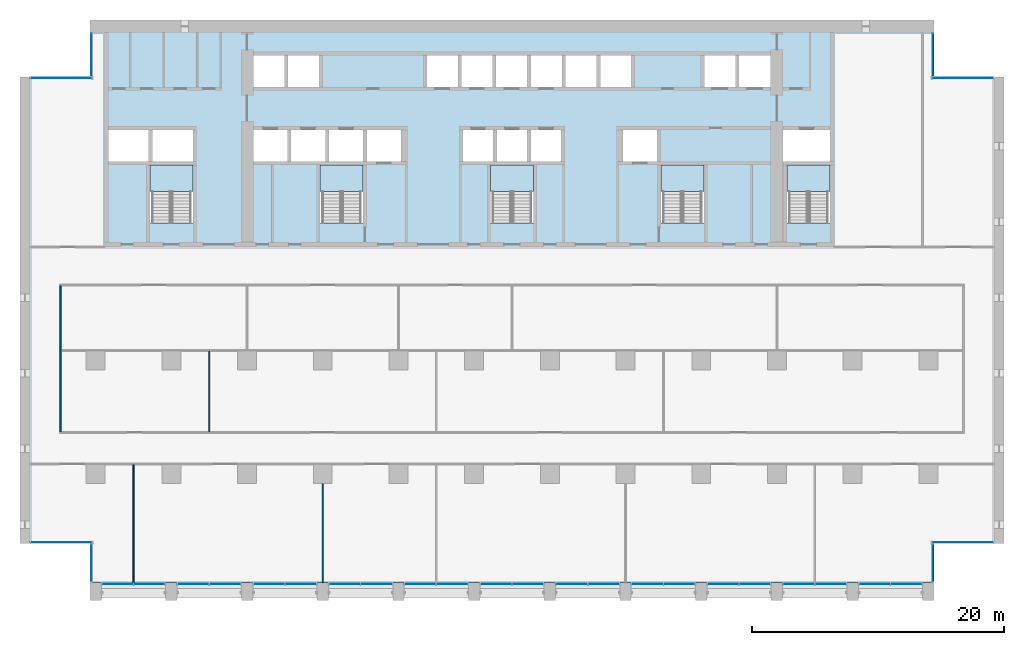
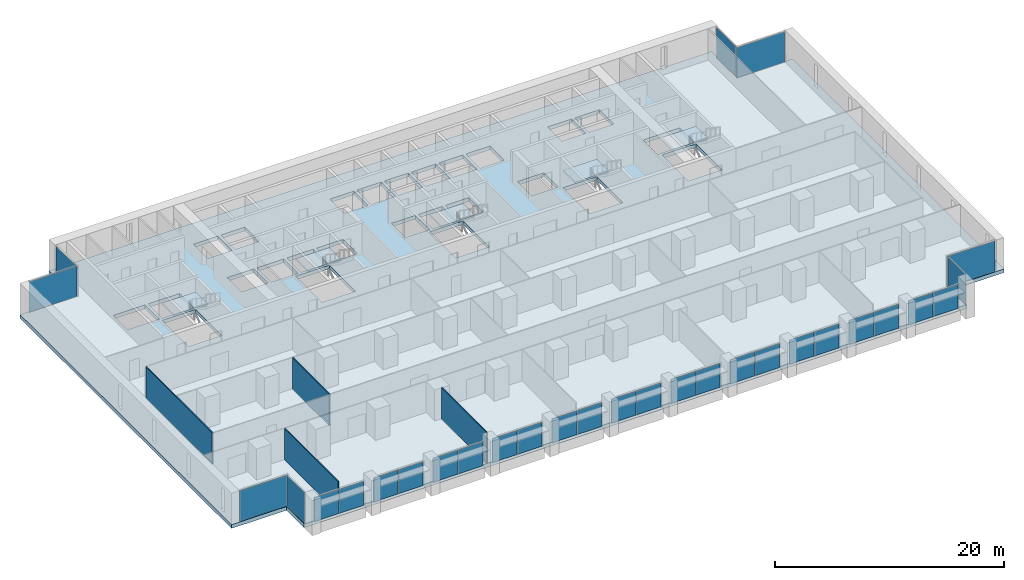
# One storey, part 7 of 18: 30 plates, 6 slabs, 4 walls, 24 elements without a shape of their own.
"""IFC4 building model written with IfcOpenShell, lengths in metres."""

from ifc_helpers import new_model, si_unit, direction, frame, frame_2d, origin, origin_2d, place, context, subcontext, project, spatial, polyline, rectangle, outline, extrude, material, layer, layer_set, type_object, element, aggregate, save


model = new_model("IFC4")

# Units and contexts
model_context = context("Model", 3, precision=1e-05, world=origin(), true_north=direction((0.0, 1.0)))
body_context = subcontext(model_context, "Body", "Model", "MODEL_VIEW")
ifc_project = project(units=[si_unit("LENGTHUNIT", "METRE"), si_unit("AREAUNIT", "SQUARE_METRE"), si_unit("VOLUMEUNIT", "CUBIC_METRE"), si_unit("PLANEANGLEUNIT", "RADIAN"), si_unit("MASSUNIT", "GRAM", prefix="KILO")], contexts=[model_context])

# Site, building, storey
site_placement = place(None, origin())
site = spatial("IfcSite", under=ifc_project, at=site_placement, CompositionType="ELEMENT")
building_placement = place(site_placement, origin())
building = spatial("IfcBuilding", under=site, at=building_placement, Name="Calvaro Tower", CompositionType="ELEMENT")
storey_placement = place(building_placement, frame((0.0, 0.0, 82.5)))
storey = spatial("IfcBuildingStorey", under=building, at=storey_placement, Name="L20", CompositionType="ELEMENT", Elevation=82.5)

# Slab
ifc_material_1 = material(Name="Concrete C40/50", Category="concrete")
ifc_layer_1 = layer(ifc_material_1, 0.39990234375)
ifc_layer_set_1 = layer_set([ifc_layer_1], Name="Concrete C40/50")
slab_type_1 = type_object("IfcSlabType", Name="Floor slab 400 C40/50", PredefinedType="FLOOR", material=ifc_layer_set_1)
slab_1_placement = place(storey_placement, frame((0.0, 0.0, -0.39990234375)))
element("IfcSlab", 1, at=slab_1_placement, inside=storey, type_object=slab_type_1, Name="Floor slab", PredefinedType="FLOOR", context=body_context, shape_type="SweptSolid", body=[
    extrude(outline(polyline([(72.449951171875, 4.5), (72.449951171875, 1.39990234375), (5.550048828125, 1.39990234375), (5.550048828125, 4.5), (0.0, 4.5), (0.0, 41.5), (5.550048828125, 41.5), (5.550048828125, 46.0), (72.449951171875, 46.0), (72.449951171875, 41.5), (78.0, 41.5), (78.0, 4.5), (72.449951171875, 4.5)]), holes=[polyline([(10.300048828125, 29.909912109375), (10.300048828125, 34.5), (12.0, 34.5), (13.699951171875, 34.5), (13.699951171875, 29.909912109375), (12.0, 29.909912109375), (10.300048828125, 29.909912109375)]), polyline([(23.800048828125, 29.909912109375), (23.800048828125, 34.5), (25.5, 34.5), (27.199951171875, 34.5), (27.199951171875, 29.909912109375), (25.5, 29.909912109375), (23.800048828125, 29.909912109375)]), polyline([(37.300048828125, 29.909912109375), (37.300048828125, 34.5), (39.0, 34.5), (40.699951171875, 34.5), (40.699951171875, 29.909912109375), (39.0, 29.909912109375), (37.300048828125, 29.909912109375)]), polyline([(50.800048828125, 29.909912109375), (50.800048828125, 34.5), (52.5, 34.5), (54.199951171875, 34.5), (54.199951171875, 29.909912109375), (52.5, 29.909912109375), (50.800048828125, 29.909912109375)]), polyline([(60.800048828125, 29.909912109375), (60.800048828125, 34.5), (62.5, 34.5), (64.199951171875, 34.5), (64.199951171875, 29.909912109375), (62.5, 29.909912109375), (60.800048828125, 29.909912109375)]), polyline([(18.5, 34.800048828125), (21.199951171875, 34.800048828125), (21.199951171875, 37.300048828125), (18.5, 37.300048828125), (18.5, 34.800048828125)]), polyline([(21.5, 34.800048828125), (24.199951171875, 34.800048828125), (24.199951171875, 37.300048828125), (21.5, 37.300048828125), (21.5, 34.800048828125)]), polyline([(24.5, 34.800048828125), (27.199951171875, 34.800048828125), (27.199951171875, 37.300048828125), (24.5, 37.300048828125), (24.5, 34.800048828125)]), polyline([(35.10009765625, 34.800048828125), (37.5, 34.800048828125), (37.5, 37.300048828125), (35.10009765625, 37.300048828125), (35.10009765625, 34.800048828125)]), polyline([(37.800048828125, 34.800048828125), (40.199951171875, 34.800048828125), (40.199951171875, 37.300048828125), (37.800048828125, 37.300048828125), (37.800048828125, 34.800048828125)]), polyline([(40.5, 34.800048828125), (42.89990234375, 34.800048828125), (42.89990234375, 37.300048828125), (40.5, 37.300048828125), (40.5, 34.800048828125)]), polyline([(18.5, 40.699951171875), (20.949951171875, 40.699951171875), (20.949951171875, 43.199951171875), (18.5, 43.199951171875), (18.5, 40.699951171875)]), polyline([(21.25, 40.699951171875), (23.699951171875, 40.699951171875), (23.699951171875, 43.199951171875), (21.25, 43.199951171875), (21.25, 40.699951171875)]), polyline([(32.25, 40.699951171875), (34.699951171875, 40.699951171875), (34.699951171875, 43.199951171875), (32.25, 43.199951171875), (32.25, 40.699951171875)]), polyline([(35.0, 40.699951171875), (37.449951171875, 40.699951171875), (37.449951171875, 43.199951171875), (35.0, 43.199951171875), (35.0, 40.699951171875)]), polyline([(37.75, 40.699951171875), (40.199951171875, 40.699951171875), (40.199951171875, 43.199951171875), (37.75, 43.199951171875), (37.75, 40.699951171875)]), polyline([(40.5, 40.699951171875), (42.949951171875, 40.699951171875), (42.949951171875, 43.199951171875), (40.5, 43.199951171875), (40.5, 40.699951171875)]), polyline([(43.25, 40.699951171875), (45.699951171875, 40.699951171875), (45.699951171875, 43.199951171875), (43.25, 43.199951171875), (43.25, 40.699951171875)]), polyline([(46.0, 40.699951171875), (48.449951171875, 40.699951171875), (48.449951171875, 43.199951171875), (46.0, 43.199951171875), (46.0, 40.699951171875)]), polyline([(54.25, 40.699951171875), (56.699951171875, 40.699951171875), (56.699951171875, 43.199951171875), (54.25, 43.199951171875), (54.25, 40.699951171875)]), polyline([(57.0, 40.699951171875), (59.5, 40.699951171875), (59.5, 43.199951171875), (57.0, 43.199951171875), (57.0, 40.699951171875)]), polyline([(7.0, 34.800048828125), (10.199951171875, 34.800048828125), (10.199951171875, 37.300048828125), (7.0, 37.300048828125), (7.0, 34.800048828125)]), polyline([(10.5, 34.800048828125), (13.699951171875, 34.800048828125), (13.699951171875, 37.300048828125), (10.5, 37.300048828125), (10.5, 34.800048828125)]), polyline([(60.5, 34.800048828125), (64.199951171875, 34.800048828125), (64.199951171875, 37.300048828125), (60.5, 37.300048828125), (60.5, 34.800048828125)]), polyline([(27.5, 34.800048828125), (30.199951171875, 34.800048828125), (30.199951171875, 37.300048828125), (27.5, 37.300048828125), (27.5, 34.800048828125)]), polyline([(47.800048828125, 34.800048828125), (50.5, 34.800048828125), (50.5, 37.300048828125), (47.800048828125, 37.300048828125), (47.800048828125, 34.800048828125)])]), origin(), (0.0, 0.0, 1.0), 0.39990234375),
])

# Curtain wall, plates
ifc_material_2 = material(Name="Anodised aluminium", Category="aluminium")
curtain_wall_type = type_object("IfcCurtainWallType", Name="Office curtain wall, lower zone", PredefinedType="NOTDEFINED", material=ifc_material_2)
curtain_wall_1_placement = place(storey_placement, origin())
curtain_wall_1 = element("IfcCurtainWall", 2, at=curtain_wall_1_placement, inside=storey, type_object=curtain_wall_type, Name="CW1 south curtain wall", PredefinedType="NOTDEFINED")
ifc_material_3 = material(Name="Glass", Category="glass")
ifc_layer_2 = layer(ifc_material_3, 0.028076171875)
ifc_layer_set_2 = layer_set([ifc_layer_2], Name="Glass")
plate_type = type_object("IfcPlateType", Name="Glass panel S1 28", PredefinedType="CURTAIN_PANEL", material=ifc_layer_set_2)
plate_1_placement = place(storey_placement, frame((7.739990234375, 1.300048828125, 0.0), z_axis=(0.0, 0.0, 1.0), x_axis=(1.0, 0.0, 0.0)))
plate_1 = element("IfcPlate", 3, at=plate_1_placement, type_object=plate_type, Name="CW1 glass panel 1.1", PredefinedType="CURTAIN_PANEL", context=body_context, shape_type="SweptSolid", body=[
    extrude(rectangle(XDim=2.4599609375, YDim=0.028076171875, at=origin_2d()), origin(), (0.0, 0.0, 1.0), 2.550048828125),
])
plate_2_placement = place(storey_placement, frame((10.260009765625, 1.300048828125, 0.0), z_axis=(0.0, 0.0, 1.0), x_axis=(1.0, 0.0, 0.0)))
plate_2 = element("IfcPlate", 4, at=plate_2_placement, type_object=plate_type, Name="CW1 glass panel 2.1", PredefinedType="CURTAIN_PANEL", context=body_context, shape_type="SweptSolid", body=[
    extrude(rectangle(XDim=2.4599609375, YDim=0.028076171875, at=origin_2d()), origin(), (0.0, 0.0, 1.0), 2.550048828125),
])
aggregate(curtain_wall_1, [plate_1, plate_2])

curtain_wall_2_placement = place(storey_placement, origin())
curtain_wall_2 = element("IfcCurtainWall", 5, at=curtain_wall_2_placement, inside=storey, type_object=curtain_wall_type, Name="CW1 south curtain wall", PredefinedType="NOTDEFINED")
plate_3_placement = place(storey_placement, frame((13.739990234375, 1.300048828125, 0.0), z_axis=(0.0, 0.0, 1.0), x_axis=(1.0, 0.0, 0.0)))
plate_3 = element("IfcPlate", 6, at=plate_3_placement, type_object=plate_type, Name="CW1 glass panel 1.1", PredefinedType="CURTAIN_PANEL", context=body_context, shape_type="SweptSolid", body=[
    extrude(rectangle(XDim=2.4599609375, YDim=0.028076171875, at=origin_2d()), origin(), (0.0, 0.0, 1.0), 2.550048828125),
])
plate_4_placement = place(storey_placement, frame((16.260009765625, 1.300048828125, 0.0), z_axis=(0.0, 0.0, 1.0), x_axis=(1.0, 0.0, 0.0)))
plate_4 = element("IfcPlate", 7, at=plate_4_placement, type_object=plate_type, Name="CW1 glass panel 2.1", PredefinedType="CURTAIN_PANEL", context=body_context, shape_type="SweptSolid", body=[
    extrude(rectangle(XDim=2.4599609375, YDim=0.028076171875, at=origin_2d()), origin(), (0.0, 0.0, 1.0), 2.550048828125),
])
aggregate(curtain_wall_2, [plate_3, plate_4])

curtain_wall_3_placement = place(storey_placement, origin())
curtain_wall_3 = element("IfcCurtainWall", 8, at=curtain_wall_3_placement, inside=storey, type_object=curtain_wall_type, Name="CW1 south curtain wall", PredefinedType="NOTDEFINED")
plate_5_placement = place(storey_placement, frame((19.739990234375, 1.300048828125, 0.0), z_axis=(0.0, 0.0, 1.0), x_axis=(1.0, 0.0, 0.0)))
plate_5 = element("IfcPlate", 9, at=plate_5_placement, type_object=plate_type, Name="CW1 glass panel 1.1", PredefinedType="CURTAIN_PANEL", context=body_context, shape_type="SweptSolid", body=[
    extrude(rectangle(XDim=2.4599609375, YDim=0.028076171875, at=origin_2d()), origin(), (0.0, 0.0, 1.0), 2.550048828125),
])
plate_6_placement = place(storey_placement, frame((22.260009765625, 1.300048828125, 0.0), z_axis=(0.0, 0.0, 1.0), x_axis=(1.0, 0.0, 0.0)))
plate_6 = element("IfcPlate", 10, at=plate_6_placement, type_object=plate_type, Name="CW1 glass panel 2.1", PredefinedType="CURTAIN_PANEL", context=body_context, shape_type="SweptSolid", body=[
    extrude(rectangle(XDim=2.4599609375, YDim=0.028076171875, at=origin_2d()), origin(), (0.0, 0.0, 1.0), 2.550048828125),
])
aggregate(curtain_wall_3, [plate_5, plate_6])

curtain_wall_4_placement = place(storey_placement, origin())
curtain_wall_4 = element("IfcCurtainWall", 11, at=curtain_wall_4_placement, inside=storey, type_object=curtain_wall_type, Name="CW1 south curtain wall", PredefinedType="NOTDEFINED")
plate_7_placement = place(storey_placement, frame((25.739990234375, 1.300048828125, 0.0), z_axis=(0.0, 0.0, 1.0), x_axis=(1.0, 0.0, 0.0)))
plate_7 = element("IfcPlate", 12, at=plate_7_placement, type_object=plate_type, Name="CW1 glass panel 1.1", PredefinedType="CURTAIN_PANEL", context=body_context, shape_type="SweptSolid", body=[
    extrude(rectangle(XDim=2.4599609375, YDim=0.028076171875, at=origin_2d()), origin(), (0.0, 0.0, 1.0), 2.550048828125),
])
plate_8_placement = place(storey_placement, frame((28.260009765625, 1.300048828125, 0.0), z_axis=(0.0, 0.0, 1.0), x_axis=(1.0, 0.0, 0.0)))
plate_8 = element("IfcPlate", 13, at=plate_8_placement, type_object=plate_type, Name="CW1 glass panel 2.1", PredefinedType="CURTAIN_PANEL", context=body_context, shape_type="SweptSolid", body=[
    extrude(rectangle(XDim=2.4599609375, YDim=0.028076171875, at=origin_2d()), origin(), (0.0, 0.0, 1.0), 2.550048828125),
])
aggregate(curtain_wall_4, [plate_7, plate_8])

curtain_wall_5_placement = place(storey_placement, origin())
curtain_wall_5 = element("IfcCurtainWall", 14, at=curtain_wall_5_placement, inside=storey, type_object=curtain_wall_type, Name="CW1 south curtain wall", PredefinedType="NOTDEFINED")
plate_9_placement = place(storey_placement, frame((31.739990234375, 1.300048828125, 0.0), z_axis=(0.0, 0.0, 1.0), x_axis=(1.0, 0.0, 0.0)))
plate_9 = element("IfcPlate", 15, at=plate_9_placement, type_object=plate_type, Name="CW1 glass panel 1.1", PredefinedType="CURTAIN_PANEL", context=body_context, shape_type="SweptSolid", body=[
    extrude(rectangle(XDim=2.4599609375, YDim=0.028076171875, at=origin_2d()), origin(), (0.0, 0.0, 1.0), 2.550048828125),
])
plate_10_placement = place(storey_placement, frame((34.260009765625, 1.300048828125, 0.0), z_axis=(0.0, 0.0, 1.0), x_axis=(1.0, 0.0, 0.0)))
plate_10 = element("IfcPlate", 16, at=plate_10_placement, type_object=plate_type, Name="CW1 glass panel 2.1", PredefinedType="CURTAIN_PANEL", context=body_context, shape_type="SweptSolid", body=[
    extrude(rectangle(XDim=2.4599609375, YDim=0.028076171875, at=origin_2d()), origin(), (0.0, 0.0, 1.0), 2.550048828125),
])
aggregate(curtain_wall_5, [plate_9, plate_10])

curtain_wall_6_placement = place(storey_placement, origin())
curtain_wall_6 = element("IfcCurtainWall", 17, at=curtain_wall_6_placement, inside=storey, type_object=curtain_wall_type, Name="CW1 south curtain wall", PredefinedType="NOTDEFINED")
plate_11_placement = place(storey_placement, frame((37.739990234375, 1.300048828125, 0.0), z_axis=(0.0, 0.0, 1.0), x_axis=(1.0, 0.0, 0.0)))
plate_11 = element("IfcPlate", 18, at=plate_11_placement, type_object=plate_type, Name="CW1 glass panel 1.1", PredefinedType="CURTAIN_PANEL", context=body_context, shape_type="SweptSolid", body=[
    extrude(rectangle(XDim=2.4599609375, YDim=0.028076171875, at=origin_2d()), origin(), (0.0, 0.0, 1.0), 2.550048828125),
])
plate_12_placement = place(storey_placement, frame((40.260009765625, 1.300048828125, 0.0), z_axis=(0.0, 0.0, 1.0), x_axis=(1.0, 0.0, 0.0)))
plate_12 = element("IfcPlate", 19, at=plate_12_placement, type_object=plate_type, Name="CW1 glass panel 2.1", PredefinedType="CURTAIN_PANEL", context=body_context, shape_type="SweptSolid", body=[
    extrude(rectangle(XDim=2.4599609375, YDim=0.028076171875, at=origin_2d()), origin(), (0.0, 0.0, 1.0), 2.550048828125),
])
aggregate(curtain_wall_6, [plate_11, plate_12])

curtain_wall_7_placement = place(storey_placement, origin())
curtain_wall_7 = element("IfcCurtainWall", 20, at=curtain_wall_7_placement, inside=storey, type_object=curtain_wall_type, Name="CW1 south curtain wall", PredefinedType="NOTDEFINED")
plate_13_placement = place(storey_placement, frame((43.739990234375, 1.300048828125, 0.0), z_axis=(0.0, 0.0, 1.0), x_axis=(1.0, 0.0, 0.0)))
plate_13 = element("IfcPlate", 21, at=plate_13_placement, type_object=plate_type, Name="CW1 glass panel 1.1", PredefinedType="CURTAIN_PANEL", context=body_context, shape_type="SweptSolid", body=[
    extrude(rectangle(XDim=2.4599609375, YDim=0.028076171875, at=origin_2d()), origin(), (0.0, 0.0, 1.0), 2.550048828125),
])
plate_14_placement = place(storey_placement, frame((46.260009765625, 1.300048828125, 0.0), z_axis=(0.0, 0.0, 1.0), x_axis=(1.0, 0.0, 0.0)))
plate_14 = element("IfcPlate", 22, at=plate_14_placement, type_object=plate_type, Name="CW1 glass panel 2.1", PredefinedType="CURTAIN_PANEL", context=body_context, shape_type="SweptSolid", body=[
    extrude(rectangle(XDim=2.4599609375, YDim=0.028076171875, at=origin_2d()), origin(), (0.0, 0.0, 1.0), 2.550048828125),
])
aggregate(curtain_wall_7, [plate_13, plate_14])

curtain_wall_8_placement = place(storey_placement, origin())
curtain_wall_8 = element("IfcCurtainWall", 23, at=curtain_wall_8_placement, inside=storey, type_object=curtain_wall_type, Name="CW1 south curtain wall", PredefinedType="NOTDEFINED")
plate_15_placement = place(storey_placement, frame((49.739990234375, 1.300048828125, 0.0), z_axis=(0.0, 0.0, 1.0), x_axis=(1.0, 0.0, 0.0)))
plate_15 = element("IfcPlate", 24, at=plate_15_placement, type_object=plate_type, Name="CW1 glass panel 1.1", PredefinedType="CURTAIN_PANEL", context=body_context, shape_type="SweptSolid", body=[
    extrude(rectangle(XDim=2.4599609375, YDim=0.028076171875, at=origin_2d()), origin(), (0.0, 0.0, 1.0), 2.550048828125),
])
plate_16_placement = place(storey_placement, frame((52.260009765625, 1.300048828125, 0.0), z_axis=(0.0, 0.0, 1.0), x_axis=(1.0, 0.0, 0.0)))
plate_16 = element("IfcPlate", 25, at=plate_16_placement, type_object=plate_type, Name="CW1 glass panel 2.1", PredefinedType="CURTAIN_PANEL", context=body_context, shape_type="SweptSolid", body=[
    extrude(rectangle(XDim=2.4599609375, YDim=0.028076171875, at=origin_2d()), origin(), (0.0, 0.0, 1.0), 2.550048828125),
])
aggregate(curtain_wall_8, [plate_15, plate_16])

curtain_wall_9_placement = place(storey_placement, origin())
curtain_wall_9 = element("IfcCurtainWall", 26, at=curtain_wall_9_placement, inside=storey, type_object=curtain_wall_type, Name="CW1 south curtain wall", PredefinedType="NOTDEFINED")
plate_17_placement = place(storey_placement, frame((55.739990234375, 1.300048828125, 0.0), z_axis=(0.0, 0.0, 1.0), x_axis=(1.0, 0.0, 0.0)))
plate_17 = element("IfcPlate", 27, at=plate_17_placement, type_object=plate_type, Name="CW1 glass panel 1.1", PredefinedType="CURTAIN_PANEL", context=body_context, shape_type="SweptSolid", body=[
    extrude(rectangle(XDim=2.4599609375, YDim=0.028076171875, at=origin_2d()), origin(), (0.0, 0.0, 1.0), 2.550048828125),
])
plate_18_placement = place(storey_placement, frame((58.260009765625, 1.300048828125, 0.0), z_axis=(0.0, 0.0, 1.0), x_axis=(1.0, 0.0, 0.0)))
plate_18 = element("IfcPlate", 28, at=plate_18_placement, type_object=plate_type, Name="CW1 glass panel 2.1", PredefinedType="CURTAIN_PANEL", context=body_context, shape_type="SweptSolid", body=[
    extrude(rectangle(XDim=2.4599609375, YDim=0.028076171875, at=origin_2d()), origin(), (0.0, 0.0, 1.0), 2.550048828125),
])
aggregate(curtain_wall_9, [plate_17, plate_18])

curtain_wall_10_placement = place(storey_placement, origin())
curtain_wall_10 = element("IfcCurtainWall", 29, at=curtain_wall_10_placement, inside=storey, type_object=curtain_wall_type, Name="CW1 south curtain wall", PredefinedType="NOTDEFINED")
plate_19_placement = place(storey_placement, frame((61.739990234375, 1.300048828125, 0.0), z_axis=(0.0, 0.0, 1.0), x_axis=(1.0, 0.0, 0.0)))
plate_19 = element("IfcPlate", 30, at=plate_19_placement, type_object=plate_type, Name="CW1 glass panel 1.1", PredefinedType="CURTAIN_PANEL", context=body_context, shape_type="SweptSolid", body=[
    extrude(rectangle(XDim=2.4599609375, YDim=0.028076171875, at=origin_2d()), origin(), (0.0, 0.0, 1.0), 2.550048828125),
])
plate_20_placement = place(storey_placement, frame((64.260009765625, 1.300048828125, 0.0), z_axis=(0.0, 0.0, 1.0), x_axis=(1.0, 0.0, 0.0)))
plate_20 = element("IfcPlate", 31, at=plate_20_placement, type_object=plate_type, Name="CW1 glass panel 2.1", PredefinedType="CURTAIN_PANEL", context=body_context, shape_type="SweptSolid", body=[
    extrude(rectangle(XDim=2.4599609375, YDim=0.028076171875, at=origin_2d()), origin(), (0.0, 0.0, 1.0), 2.550048828125),
])
aggregate(curtain_wall_10, [plate_19, plate_20])

curtain_wall_11_placement = place(storey_placement, origin())
curtain_wall_11 = element("IfcCurtainWall", 32, at=curtain_wall_11_placement, inside=storey, type_object=curtain_wall_type, Name="CW1 south curtain wall", PredefinedType="NOTDEFINED")
plate_21_placement = place(storey_placement, frame((67.739990234375, 1.300048828125, 0.0), z_axis=(0.0, 0.0, 1.0), x_axis=(1.0, 0.0, 0.0)))
plate_21 = element("IfcPlate", 33, at=plate_21_placement, type_object=plate_type, Name="CW1 glass panel 1.1", PredefinedType="CURTAIN_PANEL", context=body_context, shape_type="SweptSolid", body=[
    extrude(rectangle(XDim=2.4599609375, YDim=0.028076171875, at=origin_2d()), origin(), (0.0, 0.0, 1.0), 2.550048828125),
])
plate_22_placement = place(storey_placement, frame((70.260009765625, 1.300048828125, 0.0), z_axis=(0.0, 0.0, 1.0), x_axis=(1.0, 0.0, 0.0)))
plate_22 = element("IfcPlate", 34, at=plate_22_placement, type_object=plate_type, Name="CW1 glass panel 2.1", PredefinedType="CURTAIN_PANEL", context=body_context, shape_type="SweptSolid", body=[
    extrude(rectangle(XDim=2.4599609375, YDim=0.028076171875, at=origin_2d()), origin(), (0.0, 0.0, 1.0), 2.550048828125),
])
aggregate(curtain_wall_11, [plate_21, plate_22])

# Curtain wall, plate
curtain_wall_12_placement = place(storey_placement, origin())
curtain_wall_12 = element("IfcCurtainWall", 35, at=curtain_wall_12_placement, inside=storey, type_object=curtain_wall_type, Name="CW1 corner curtain wall", PredefinedType="NOTDEFINED")
plate_23_placement = place(storey_placement, frame((5.64990234375, 2.949951171875, 0.0), z_axis=(0.0, 0.0, 1.0), x_axis=(0.0, 1.0, 0.0)))
plate_23 = element("IfcPlate", 36, at=plate_23_placement, type_object=plate_type, Name="CW1 glass panel 1.1", PredefinedType="CURTAIN_PANEL", context=body_context, shape_type="SweptSolid", body=[
    extrude(rectangle(XDim=2.97998046875, YDim=0.028076171875, at=origin_2d()), origin(), (0.0, 0.0, 1.0), 3.25),
])
aggregate(curtain_wall_12, [plate_23])

curtain_wall_13_placement = place(storey_placement, origin())
curtain_wall_13 = element("IfcCurtainWall", 37, at=curtain_wall_13_placement, inside=storey, type_object=curtain_wall_type, Name="CW1 corner curtain wall", PredefinedType="NOTDEFINED")
plate_24_placement = place(storey_placement, frame((3.27490234375, 4.60009765625, 0.0), z_axis=(0.0, 0.0, 1.0), x_axis=(1.0, 0.0, 0.0)))
plate_24 = element("IfcPlate", 38, at=plate_24_placement, type_object=plate_type, Name="CW1 glass panel 1.1", PredefinedType="CURTAIN_PANEL", context=body_context, shape_type="SweptSolid", body=[
    extrude(rectangle(XDim=4.830078125, YDim=0.028076171875, at=origin_2d()), origin(), (0.0, 0.0, 1.0), 3.25),
])
aggregate(curtain_wall_13, [plate_24])

curtain_wall_14_placement = place(storey_placement, origin())
curtain_wall_14 = element("IfcCurtainWall", 39, at=curtain_wall_14_placement, inside=storey, type_object=curtain_wall_type, Name="CW1 corner curtain wall", PredefinedType="NOTDEFINED")
plate_25_placement = place(storey_placement, frame((5.64990234375, 43.25, 0.0), z_axis=(0.0, 0.0, 1.0), x_axis=(0.0, 1.0, 0.0)))
plate_25 = element("IfcPlate", 40, at=plate_25_placement, type_object=plate_type, Name="CW1 glass panel 1.1", PredefinedType="CURTAIN_PANEL", context=body_context, shape_type="SweptSolid", body=[
    extrude(rectangle(XDim=3.3798828125, YDim=0.028076171875, at=origin_2d()), origin(), (0.0, 0.0, 1.0), 3.25),
])
aggregate(curtain_wall_14, [plate_25])

curtain_wall_15_placement = place(storey_placement, origin())
curtain_wall_15 = element("IfcCurtainWall", 41, at=curtain_wall_15_placement, inside=storey, type_object=curtain_wall_type, Name="CW1 corner curtain wall", PredefinedType="NOTDEFINED")
plate_26_placement = place(storey_placement, frame((3.27490234375, 41.39990234375, 0.0), z_axis=(0.0, 0.0, 1.0), x_axis=(1.0, 0.0, 0.0)))
plate_26 = element("IfcPlate", 42, at=plate_26_placement, type_object=plate_type, Name="CW1 glass panel 1.1", PredefinedType="CURTAIN_PANEL", context=body_context, shape_type="SweptSolid", body=[
    extrude(rectangle(XDim=4.830078125, YDim=0.028076171875, at=origin_2d()), origin(), (0.0, 0.0, 1.0), 3.25),
])
aggregate(curtain_wall_15, [plate_26])

curtain_wall_16_placement = place(storey_placement, origin())
curtain_wall_16 = element("IfcCurtainWall", 43, at=curtain_wall_16_placement, inside=storey, type_object=curtain_wall_type, Name="CW1 corner curtain wall", PredefinedType="NOTDEFINED")
plate_27_placement = place(storey_placement, frame((72.35009765625, 2.949951171875, 0.0), z_axis=(0.0, 0.0, 1.0), x_axis=(0.0, 1.0, 0.0)))
plate_27 = element("IfcPlate", 44, at=plate_27_placement, type_object=plate_type, Name="CW1 glass panel 1.1", PredefinedType="CURTAIN_PANEL", context=body_context, shape_type="SweptSolid", body=[
    extrude(rectangle(XDim=2.97998046875, YDim=0.028076171875, at=origin_2d()), origin(), (0.0, 0.0, 1.0), 3.25),
])
aggregate(curtain_wall_16, [plate_27])

curtain_wall_17_placement = place(storey_placement, origin())
curtain_wall_17 = element("IfcCurtainWall", 45, at=curtain_wall_17_placement, inside=storey, type_object=curtain_wall_type, Name="CW1 corner curtain wall", PredefinedType="NOTDEFINED")
plate_28_placement = place(storey_placement, frame((74.72509765625, 4.60009765625, 0.0), z_axis=(0.0, 0.0, 1.0), x_axis=(1.0, 0.0, 0.0)))
plate_28 = element("IfcPlate", 46, at=plate_28_placement, type_object=plate_type, Name="CW1 glass panel 1.1", PredefinedType="CURTAIN_PANEL", context=body_context, shape_type="SweptSolid", body=[
    extrude(rectangle(XDim=4.830078125, YDim=0.028076171875, at=origin_2d()), origin(), (0.0, 0.0, 1.0), 3.25),
])
aggregate(curtain_wall_17, [plate_28])

curtain_wall_18_placement = place(storey_placement, origin())
curtain_wall_18 = element("IfcCurtainWall", 47, at=curtain_wall_18_placement, inside=storey, type_object=curtain_wall_type, Name="CW1 corner curtain wall", PredefinedType="NOTDEFINED")
plate_29_placement = place(storey_placement, frame((72.35009765625, 43.25, 0.0), z_axis=(0.0, 0.0, 1.0), x_axis=(0.0, 1.0, 0.0)))
plate_29 = element("IfcPlate", 48, at=plate_29_placement, type_object=plate_type, Name="CW1 glass panel 1.1", PredefinedType="CURTAIN_PANEL", context=body_context, shape_type="SweptSolid", body=[
    extrude(rectangle(XDim=3.3798828125, YDim=0.028076171875, at=origin_2d()), origin(), (0.0, 0.0, 1.0), 3.25),
])
aggregate(curtain_wall_18, [plate_29])

curtain_wall_19_placement = place(storey_placement, origin())
curtain_wall_19 = element("IfcCurtainWall", 49, at=curtain_wall_19_placement, inside=storey, type_object=curtain_wall_type, Name="CW1 corner curtain wall", PredefinedType="NOTDEFINED")
plate_30_placement = place(storey_placement, frame((74.72509765625, 41.39990234375, 0.0), z_axis=(0.0, 0.0, 1.0), x_axis=(1.0, 0.0, 0.0)))
plate_30 = element("IfcPlate", 50, at=plate_30_placement, type_object=plate_type, Name="CW1 glass panel 1.1", PredefinedType="CURTAIN_PANEL", context=body_context, shape_type="SweptSolid", body=[
    extrude(rectangle(XDim=4.830078125, YDim=0.028076171875, at=origin_2d()), origin(), (0.0, 0.0, 1.0), 3.25),
])
aggregate(curtain_wall_19, [plate_30])

# Stair, slab
ifc_material_4 = material(Name="Concrete C40/50", Category="concrete")
stair_type = type_object("IfcStairType", Name="Exit stair 1400 2 flights", PredefinedType="HALF_TURN_STAIR", material=ifc_material_4)
stair_1_placement = place(storey_placement, origin())
stair_1 = element("IfcStair", 51, at=stair_1_placement, inside=storey, type_object=stair_type, Name="Exit stair S1", PredefinedType="HALF_TURN_STAIR")
ifc_material_5 = material(Name="Concrete C40/50", Category="concrete")
ifc_layer_3 = layer(ifc_material_5, 0.199951171875)
ifc_layer_set_3 = layer_set([ifc_layer_3], Name="Concrete C40/50")
slab_type_2 = type_object("IfcSlabType", Name="Stair landing", PredefinedType="LANDING", material=ifc_layer_set_3)
slab_2_placement = place(storey_placement, frame((0.0, 0.0, 1.675048828125)))
slab_2 = element("IfcSlab", 52, at=slab_2_placement, type_object=slab_type_2, Name="Exit stair 1, landing 1", PredefinedType="LANDING", context=body_context, shape_type="SweptSolid", body=[
    extrude(outline(polyline([(11.89990234375, 32.389892578125), (10.5, 32.389892578125), (10.5, 32.39990234375), (10.300048828125, 32.39990234375), (10.300048828125, 34.5), (10.5, 34.5), (11.89990234375, 34.5), (12.10009765625, 34.5), (13.5, 34.5), (13.699951171875, 34.5), (13.699951171875, 32.39990234375), (13.5, 32.39990234375), (13.5, 32.389892578125), (12.10009765625, 32.389892578125), (12.10009765625, 32.39990234375), (11.89990234375, 32.39990234375), (11.89990234375, 32.389892578125)])), origin(), (0.0, 0.0, 1.0), 0.199951171875),
])
aggregate(stair_1, [slab_2])

stair_2_placement = place(storey_placement, origin())
stair_2 = element("IfcStair", 53, at=stair_2_placement, inside=storey, type_object=stair_type, Name="Exit stair S2", PredefinedType="HALF_TURN_STAIR")
slab_3_placement = place(storey_placement, frame((0.0, 0.0, 1.675048828125)))
slab_3 = element("IfcSlab", 54, at=slab_3_placement, type_object=slab_type_2, Name="Exit stair 2, landing 1", PredefinedType="LANDING", context=body_context, shape_type="SweptSolid", body=[
    extrude(outline(polyline([(25.39990234375, 32.389892578125), (24.0, 32.389892578125), (24.0, 32.39990234375), (23.800048828125, 32.39990234375), (23.800048828125, 34.5), (24.0, 34.5), (25.39990234375, 34.5), (25.60009765625, 34.5), (27.0, 34.5), (27.199951171875, 34.5), (27.199951171875, 32.39990234375), (27.0, 32.39990234375), (27.0, 32.389892578125), (25.60009765625, 32.389892578125), (25.60009765625, 32.39990234375), (25.39990234375, 32.39990234375), (25.39990234375, 32.389892578125)])), origin(), (0.0, 0.0, 1.0), 0.199951171875),
])
aggregate(stair_2, [slab_3])

stair_3_placement = place(storey_placement, origin())
stair_3 = element("IfcStair", 55, at=stair_3_placement, inside=storey, type_object=stair_type, Name="Exit stair S3", PredefinedType="HALF_TURN_STAIR")
slab_4_placement = place(storey_placement, frame((0.0, 0.0, 1.675048828125)))
slab_4 = element("IfcSlab", 56, at=slab_4_placement, type_object=slab_type_2, Name="Exit stair 3, landing 1", PredefinedType="LANDING", context=body_context, shape_type="SweptSolid", body=[
    extrude(outline(polyline([(38.89990234375, 32.389892578125), (37.5, 32.389892578125), (37.5, 32.39990234375), (37.300048828125, 32.39990234375), (37.300048828125, 34.5), (37.5, 34.5), (38.89990234375, 34.5), (39.10009765625, 34.5), (40.5, 34.5), (40.699951171875, 34.5), (40.699951171875, 32.39990234375), (40.5, 32.39990234375), (40.5, 32.389892578125), (39.10009765625, 32.389892578125), (39.10009765625, 32.39990234375), (38.89990234375, 32.39990234375), (38.89990234375, 32.389892578125)])), origin(), (0.0, 0.0, 1.0), 0.199951171875),
])
aggregate(stair_3, [slab_4])

stair_4_placement = place(storey_placement, origin())
stair_4 = element("IfcStair", 57, at=stair_4_placement, inside=storey, type_object=stair_type, Name="Exit stair S4", PredefinedType="HALF_TURN_STAIR")
slab_5_placement = place(storey_placement, frame((0.0, 0.0, 1.675048828125)))
slab_5 = element("IfcSlab", 58, at=slab_5_placement, type_object=slab_type_2, Name="Exit stair 4, landing 1", PredefinedType="LANDING", context=body_context, shape_type="SweptSolid", body=[
    extrude(outline(polyline([(52.39990234375, 32.389892578125), (51.0, 32.389892578125), (51.0, 32.39990234375), (50.800048828125, 32.39990234375), (50.800048828125, 34.5), (51.0, 34.5), (52.39990234375, 34.5), (52.60009765625, 34.5), (54.0, 34.5), (54.199951171875, 34.5), (54.199951171875, 32.39990234375), (54.0, 32.39990234375), (54.0, 32.389892578125), (52.60009765625, 32.389892578125), (52.60009765625, 32.39990234375), (52.39990234375, 32.39990234375), (52.39990234375, 32.389892578125)])), origin(), (0.0, 0.0, 1.0), 0.199951171875),
])
aggregate(stair_4, [slab_5])

stair_5_placement = place(storey_placement, origin())
stair_5 = element("IfcStair", 59, at=stair_5_placement, inside=storey, type_object=stair_type, Name="Exit stair S5", PredefinedType="HALF_TURN_STAIR")
slab_6_placement = place(storey_placement, frame((0.0, 0.0, 1.675048828125)))
slab_6 = element("IfcSlab", 60, at=slab_6_placement, type_object=slab_type_2, Name="Exit stair 5, landing 1", PredefinedType="LANDING", context=body_context, shape_type="SweptSolid", body=[
    extrude(outline(polyline([(62.39990234375, 32.389892578125), (61.0, 32.389892578125), (61.0, 32.39990234375), (60.800048828125, 32.39990234375), (60.800048828125, 34.5), (61.0, 34.5), (62.39990234375, 34.5), (62.60009765625, 34.5), (64.0, 34.5), (64.199951171875, 34.5), (64.199951171875, 32.39990234375), (64.0, 32.39990234375), (64.0, 32.389892578125), (62.60009765625, 32.389892578125), (62.60009765625, 32.39990234375), (62.39990234375, 32.39990234375), (62.39990234375, 32.389892578125)])), origin(), (0.0, 0.0, 1.0), 0.199951171875),
])
aggregate(stair_5, [slab_6])

# Walls
ifc_material_6 = material(Name="Plasterboard on steel studs", Category="steel")
ifc_layer_4 = layer(ifc_material_6, 0.10009765625)
ifc_layer_set_4 = layer_set([ifc_layer_4], Name="Plasterboard on steel studs")
wall_type_1 = type_object("IfcWallType", Name="Partition 100", PredefinedType="PARTITIONING", material=ifc_layer_set_4)
wall_1_placement = place(storey_placement, frame((9.0, 1.39990234375, 0.0), z_axis=(0.0, 0.0, 1.0), x_axis=(0.0, 1.0, 0.0)))
element("IfcWall", 61, at=wall_1_placement, inside=storey, type_object=wall_type_1, Name="Partition T14.W008", PredefinedType="PARTITIONING", context=body_context, shape_type="SweptSolid", body=[
    extrude(rectangle(XDim=9.35009765625, YDim=0.10009765625, at=frame_2d((4.675048828125, 0.0))), origin(), (0.0, 0.0, 1.0), 3.35009765625),
])
wall_2_placement = place(storey_placement, frame((24.0, 1.39990234375, 0.0), z_axis=(0.0, 0.0, 1.0), x_axis=(0.0, 1.0, 0.0)))
element("IfcWall", 62, at=wall_2_placement, inside=storey, type_object=wall_type_1, Name="Partition T14.W011", PredefinedType="PARTITIONING", context=body_context, shape_type="SweptSolid", body=[
    extrude(rectangle(XDim=7.85009765625, YDim=0.10009765625, at=frame_2d((3.925048828125, 0.0))), origin(), (0.0, 0.0, 1.0), 3.35009765625),
])
ifc_material_7 = material(Name="Plasterboard on steel studs", Category="steel")
ifc_layer_5 = layer(ifc_material_7, 0.10009765625)
ifc_layer_set_5 = layer_set([ifc_layer_5], Name="Plasterboard on steel studs")
wall_type_2 = type_object("IfcWallType", Name="Partition 100 REI 120", PredefinedType="PARTITIONING", material=ifc_layer_set_5)
wall_3_placement = place(storey_placement, frame((3.199951171875, 13.35009765625, 0.0), z_axis=(0.0, 0.0, 1.0), x_axis=(0.0, 1.0, 0.0)))
element("IfcWall", 63, at=wall_3_placement, inside=storey, type_object=wall_type_2, Name="Partition T14.W007", PredefinedType="PARTITIONING", context=body_context, shape_type="SweptSolid", body=[
    extrude(rectangle(XDim=11.599853515625, YDim=0.10009765625, at=frame_2d((5.7998046875, 0.0))), origin(), (0.0, 0.0, 1.0), 3.35009765625),
])
wall_4_placement = place(storey_placement, frame((15.0, 13.35009765625, 0.0), z_axis=(0.0, 0.0, 1.0), x_axis=(0.0, 1.0, 0.0)))
element("IfcWall", 64, at=wall_4_placement, inside=storey, type_object=wall_type_2, Name="Partition T14.W009", PredefinedType="PARTITIONING", context=body_context, shape_type="SweptSolid", body=[
    extrude(rectangle(XDim=6.39990234375, YDim=0.10009765625, at=frame_2d((3.199951171875, 0.0))), origin(), (0.0, 0.0, 1.0), 3.35009765625),
])

save(model, "model.ifc")
